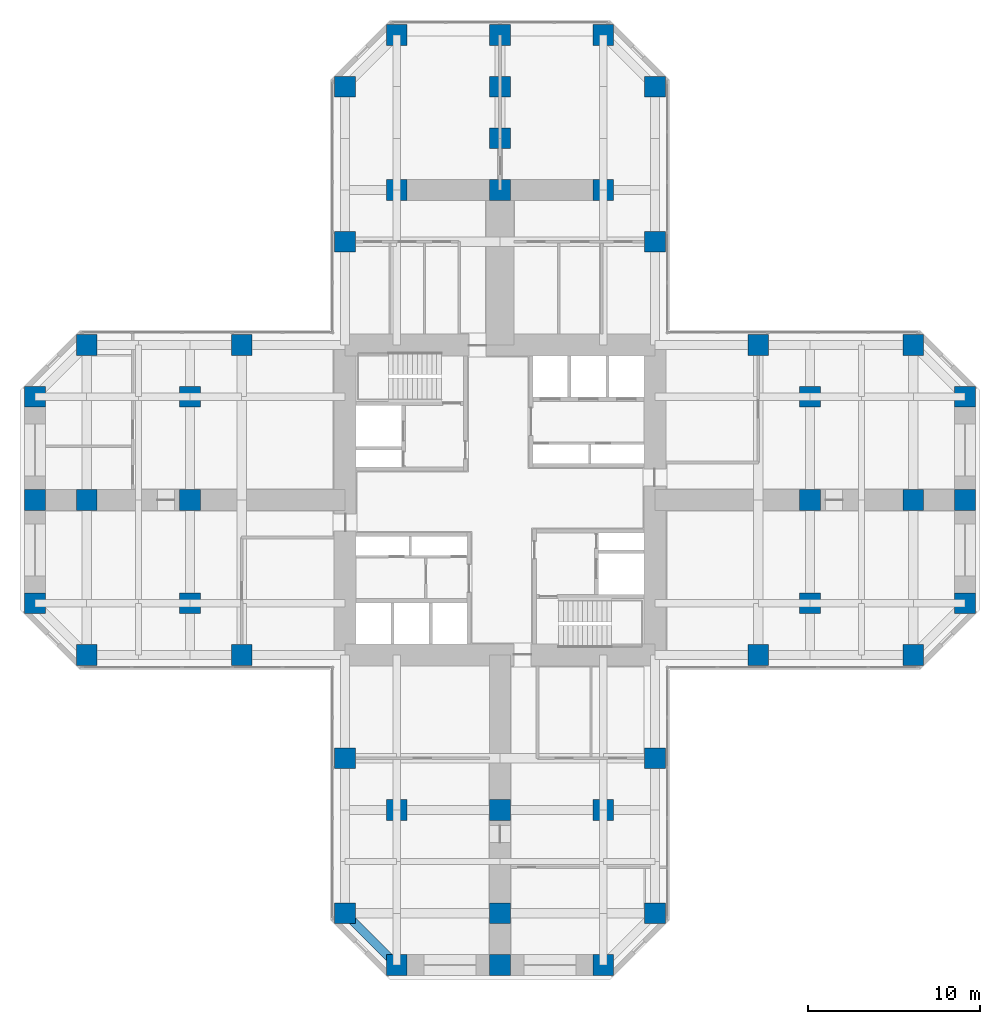
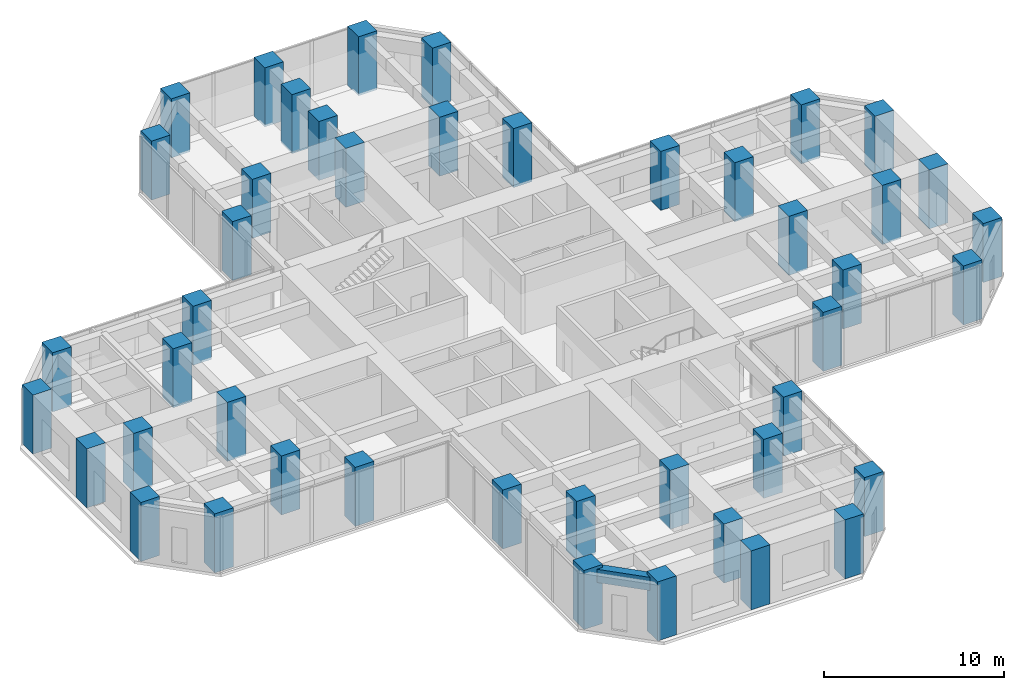
# One storey, part 1 of 12: 45 columns, 1 beam.
"""IFC4 building model written with IfcOpenShell, lengths in metres."""

import ifcopenshell
import ifcopenshell.guid

model = None  # the IFC model being written
_history = None  # IfcOwnerHistory: only IFC2X3 demands one
_inside = {}  # id of a spatial element -> (the spatial element, [elements in it])
_under = {}  # id of a project, library or spatial element -> (it, [spatial elements below it])
_declared = {}  # id of a project -> (the project, [libraries it declares])
_typed = {}  # id of a type object -> (the type object, [elements of that type])
_made_of = {}  # id of a material, layer set ... -> (it, [elements and type objects made of it])


def new_model(schema):
    """Start an empty IFC model of exactly this schema.

    Asked for "IFC4X3", IfcOpenShell would pick the latest addendum, in which some entities
    have other attributes; the version numbers below select the first issue.
    IFC2X3 requires an IfcOwnerHistory on every rooted entity: one is made here for all.
    """
    global model, _history
    if schema == "IFC4X3":
        model = ifcopenshell.file(schema_version=(4, 3, 0, 0))
    else:
        model = ifcopenshell.file(schema=schema)
    _inside.clear()
    _under.clear()
    _declared.clear()
    _typed.clear()
    _made_of.clear()
    _history = None
    if model.schema == "IFC2X3":
        org = make("IfcOrganization", Name="unknown")
        user = make(
            "IfcPersonAndOrganization",
            ThePerson=make("IfcPerson", FamilyName="unknown"),
            TheOrganization=org,
        )
        app = make(
            "IfcApplication",
            ApplicationDeveloper=org,
            Version="unknown",
            ApplicationFullName="unknown",
            ApplicationIdentifier="unknown",
        )
        _history = make(
            "IfcOwnerHistory",
            OwningUser=user,
            OwningApplication=app,
            ChangeAction="ADDED",
            CreationDate=0,
        )
    return model


def make(cls, **values):
    """One entity of the class cls with the attributes given. An attribute that is None is left unset."""
    return model.create_entity(
        cls, **{name: value for name, value in values.items() if value is not None}
    )


def rooted(cls, **values):
    """An entity with a GlobalId (a new one), such as an element, a storey or a relation."""
    return make(cls, GlobalId=ifcopenshell.guid.new(), OwnerHistory=_history, **values)


def si_unit(unit_type, name, prefix=None):
    """IfcSIUnit, for example si_unit("LENGTHUNIT", "METRE", prefix="MILLI")."""
    return make("IfcSIUnit", UnitType=unit_type, Prefix=prefix, Name=name)


def assignment(units):
    """IfcUnitAssignment: the units of a project."""
    return None if units is None else make("IfcUnitAssignment", Units=units)


def point(xyz):
    """IfcCartesianPoint."""
    return None if xyz is None else make("IfcCartesianPoint", Coordinates=xyz)


def direction(xyz):
    """IfcDirection."""
    return None if xyz is None else make("IfcDirection", DirectionRatios=xyz)


def frame(location, z_axis=None, x_axis=None):
    """IfcAxis2Placement3D, a coordinate frame: its origin and axes. An axis left out is left unset."""
    return make(
        "IfcAxis2Placement3D",
        Location=point(location),
        Axis=direction(z_axis),
        RefDirection=direction(x_axis),
    )


def frame_2d(location, x_axis=None):
    """IfcAxis2Placement2D, a coordinate frame in the plane: its origin and x axis."""
    return make(
        "IfcAxis2Placement2D", Location=point(location), RefDirection=direction(x_axis)
    )


def origin():
    """The frame at (0, 0, 0) with its axes left unset."""
    return frame((0.0, 0.0, 0.0))


def origin_2d():
    """The frame at (0, 0) in the plane with its x axis left unset."""
    return frame_2d((0.0, 0.0))


def place(relative_to, where):
    """IfcLocalPlacement: puts the frame where relative to a parent placement (None: the world)."""
    return make(
        "IfcLocalPlacement", PlacementRelTo=relative_to, RelativePlacement=where
    )


def context(
    kind, dimensions, precision=None, world=None, true_north=None, identifier=None
):
    """IfcGeometricRepresentationContext, for example the 3D "Model" context."""
    return make(
        "IfcGeometricRepresentationContext",
        ContextIdentifier=identifier,
        ContextType=kind,
        CoordinateSpaceDimension=dimensions,
        Precision=precision,
        WorldCoordinateSystem=world,
        TrueNorth=true_north,
    )


def subcontext(parent, identifier, kind, view, scale=None):
    """IfcGeometricRepresentationSubContext, for example "Body" below "Model"."""
    return make(
        "IfcGeometricRepresentationSubContext",
        ContextIdentifier=identifier,
        ContextType=kind,
        ParentContext=parent,
        TargetScale=scale,
        TargetView=view,
    )


def project(units=None, contexts=None):
    """IfcProject with its units and contexts."""
    return rooted(
        "IfcProject",
        Name="project",
        RepresentationContexts=contexts,
        UnitsInContext=assignment(units),
    )


def spatial(cls, under=None, at=None, **own):
    """A site, building, storey or space (cls), placed at a placement, below another one or the project."""
    s = rooted(cls, ObjectPlacement=at, **own)
    if under is not None:
        _under.setdefault(under.id(), (under, []))[1].append(s)
    return s


def profile(cls, at=None, kind="AREA", **sizes):
    """A parametric profile (cls). Its sizes go by their IFC names, for example OverallWidth=200.0."""
    return make(cls, ProfileType=kind, Position=at, **sizes)


def rectangle(**sizes):
    """IfcRectangleProfileDef."""
    return profile("IfcRectangleProfileDef", **sizes)


def extrude(swept, where, along, depth):
    """IfcExtrudedAreaSolid: the profile swept, set in the frame where, extruded along a direction by depth."""
    return make(
        "IfcExtrudedAreaSolid",
        SweptArea=swept,
        Position=where,
        ExtrudedDirection=direction(along),
        Depth=depth,
    )


def shape(context_of_items, identifier, shape_type, items):
    """IfcShapeRepresentation: the items that make up one representation, for example the "Body"."""
    return make(
        "IfcShapeRepresentation",
        ContextOfItems=context_of_items,
        RepresentationIdentifier=identifier,
        RepresentationType=shape_type,
        Items=items,
    )


def material(Name=None, Category=None):
    """IfcMaterial."""
    return make("IfcMaterial", Name=Name, Category=Category)


def material_profile(
    of_material, cross_section, Name=None, Category=None, Priority=None
):
    """IfcMaterialProfile: a cross section and its material."""
    return make(
        "IfcMaterialProfile",
        Name=Name,
        Material=of_material,
        Profile=cross_section,
        Priority=Priority,
        Category=Category,
    )


def profile_set(profiles, Name=None, composite=None):
    """IfcMaterialProfileSet."""
    return make(
        "IfcMaterialProfileSet",
        Name=Name,
        MaterialProfiles=profiles,
        CompositeProfile=composite,
    )


def made_of(thing, what):
    """Note that an element or type object is made of a material, layer set ...; save() writes the relation."""
    if what is not None:
        _made_of.setdefault(what.id(), (what, []))[1].append(thing)
    return thing


def type_object(cls, material=None, **own):
    """A type object (cls), such as IfcWallType, which elements share."""
    return made_of(rooted(cls, **own), material)


def element(
    cls,
    number,
    at=None,
    inside=None,
    cuts=None,
    type_object=None,
    material=None,
    context=None,
    identifier="Body",
    shape_type=None,
    held_by="IfcProductDefinitionShape",
    body=None,
    shapes=None,
    **own,
):
    """One element of the class cls, such as IfcWall. Its Tag is "e" and its number.

    at: its placement. inside: the storey or other place that contains it. cuts: it is an
    opening in that element (IfcRelVoidsElement). A single representation is given by context,
    identifier, shape_type and body (its items); several are given by shapes. held_by: the class
    of the entity that holds the representations. save() writes the other relations.
    """
    e = rooted(cls, Tag="e%d" % number, ObjectPlacement=at, **own)
    if body is not None:
        shapes = [shape(context, identifier, shape_type, body)]
    if shapes is not None:
        e.Representation = make(held_by, Representations=shapes)
    if inside is not None:
        _inside.setdefault(inside.id(), (inside, []))[1].append(e)
    if cuts is not None:
        rooted(
            "IfcRelVoidsElement", RelatingBuildingElement=cuts, RelatedOpeningElement=e
        )
    if type_object is not None:
        _typed.setdefault(type_object.id(), (type_object, []))[1].append(e)
    return made_of(e, material)


def aggregate(whole, parts):
    """IfcRelAggregates: a whole, such as a stair, and the parts it consists of."""
    return rooted("IfcRelAggregates", RelatingObject=whole, RelatedObjects=parts)


def save(model, path):
    """Write the relations noted so far, then the file.

    IfcRelAggregates (storeys below a building ...), IfcRelContainedInSpatialStructure (elements
    in a storey), IfcRelDefinesByType, IfcRelAssociatesMaterial and IfcRelDeclares: one each for
    every whole, place, type object, material and project.
    """
    for whole, parts in _under.values():
        aggregate(whole, parts)
    for where, things in _inside.values():
        rooted(
            "IfcRelContainedInSpatialStructure",
            RelatedElements=things,
            RelatingStructure=where,
        )
    for kind, things in _typed.values():
        rooted("IfcRelDefinesByType", RelatedObjects=things, RelatingType=kind)
    for what, things in _made_of.values():
        rooted("IfcRelAssociatesMaterial", RelatedObjects=things, RelatingMaterial=what)
    for by, libraries in _declared.values():
        rooted("IfcRelDeclares", RelatingContext=by, RelatedDefinitions=libraries)
    model.write(path)


model = new_model("IFC4")

# Units and contexts
model_context = context("Model", 3, precision=1e-05, world=origin(), true_north=direction((0.0, 1.0)))
body_context = subcontext(model_context, "Body", "Model", "MODEL_VIEW")
ifc_project = project(units=[si_unit("LENGTHUNIT", "METRE"), si_unit("AREAUNIT", "SQUARE_METRE"), si_unit("VOLUMEUNIT", "CUBIC_METRE"), si_unit("PLANEANGLEUNIT", "RADIAN"), si_unit("MASSUNIT", "GRAM", prefix="KILO")], contexts=[model_context])

# Site, building, storey
site_placement = place(None, origin())
site = spatial("IfcSite", under=ifc_project, at=site_placement, CompositionType="ELEMENT")
building_placement = place(site_placement, origin())
building = spatial("IfcBuilding", under=site, at=building_placement, Name="Torre Cruceta", CompositionType="ELEMENT")
storey_placement = place(building_placement, frame((0.0, 0.0, 75.5)))
storey = spatial("IfcBuildingStorey", under=building, at=storey_placement, Name="L18", CompositionType="ELEMENT", Elevation=75.5)

# Columns
ifc_material_1 = material(Name="Concrete G60 (fck 60 MPa)", Category="concrete")
ifc_material_profile_1 = material_profile(ifc_material_1, rectangle(XDim=1.199951171875, YDim=1.199951171875, at=origin_2d()), Name="RC 1200X1200")
ifc_profile_set_1 = profile_set([ifc_material_profile_1], Name="Concrete G60 (fck 60 MPa)")
column_type = type_object("IfcColumnType", Name="COLUMN RC 1200X1200", PredefinedType="COLUMN", material=ifc_profile_set_1)
for number, where, z_axis, x_axis, name in (
    (1, (9.0, 15.0, 0.0), (0.0, 0.0, 1.0), (1.0, 0.0, 0.0), "C3 L18 N side"),
    (2, (9.0, 24.0, 0.0), (0.0, 0.0, 1.0), (1.0, 0.0, 0.0), "C3 L18 N chamfer"),
    (3, (-9.0, 15.0, 0.0), (0.0, 0.0, 1.0), (1.0, 0.0, 0.0), "C3 L18 N side"),
    (4, (-9.0, 24.0, 0.0), (0.0, 0.0, 1.0), (1.0, 0.0, 0.0), "C3 L18 N chamfer"),
    (5, (6.0, 27.0, 0.0), (0.0, 0.0, 1.0), (1.0, 0.0, 0.0), "C3 L18 N tip"),
    (6, (0.0, 27.0, 0.0), (0.0, 0.0, 1.0), (1.0, 0.0, 0.0), "C3 L18 N tip"),
    (7, (-6.0, 27.0, 0.0), (0.0, 0.0, 1.0), (1.0, 0.0, 0.0), "C3 L18 N tip"),
    (8, (15.0, -9.0, 0.0), (0.0, 0.0, 1.0), (1.0, 0.0, 0.0), "C3 L18 E side"),
    (9, (24.0, -9.0, 0.0), (0.0, 0.0, 1.0), (1.0, 0.0, 0.0), "C3 L18 E chamfer"),
    (10, (15.0, 9.0, 0.0), (0.0, 0.0, 1.0), (1.0, 0.0, 0.0), "C3 L18 E side"),
    (11, (24.0, 9.0, 0.0), (0.0, 0.0, 1.0), (1.0, 0.0, 0.0), "C3 L18 E chamfer"),
    (12, (27.0, -6.0, 0.0), (0.0, 0.0, 1.0), (1.0, 0.0, 0.0), "C3 L18 E tip"),
    (13, (27.0, 0.0, 0.0), (0.0, 0.0, 1.0), (1.0, 0.0, 0.0), "C3 L18 E tip"),
    (14, (27.0, 6.0, 0.0), (0.0, 0.0, 1.0), (1.0, 0.0, 0.0), "C3 L18 E tip"),
    (15, (-9.0, -15.0, 0.0), (0.0, 0.0, 1.0), (1.0, 0.0, 0.0), "C3 L18 S side"),
    (16, (-9.0, -24.0, 0.0), (0.0, 0.0, 1.0), (1.0, 0.0, 0.0), "C3 L18 S chamfer"),
    (17, (9.0, -15.0, 0.0), (0.0, 0.0, 1.0), (1.0, 0.0, 0.0), "C3 L18 S side"),
    (18, (9.0, -24.0, 0.0), (0.0, 0.0, 1.0), (1.0, 0.0, 0.0), "C3 L18 S chamfer"),
    (19, (-6.0, -27.0, 0.0), (0.0, 0.0, 1.0), (1.0, 0.0, 0.0), "C3 L18 S tip"),
    (20, (0.0, -27.0, 0.0), (0.0, 0.0, 1.0), (1.0, 0.0, 0.0), "C3 L18 S tip"),
    (21, (6.0, -27.0, 0.0), (0.0, 0.0, 1.0), (1.0, 0.0, 0.0), "C3 L18 S tip"),
    (22, (-15.0, 9.0, 0.0), (0.0, 0.0, 1.0), (1.0, 0.0, 0.0), "C3 L18 W side"),
    (23, (-24.0, 9.0, 0.0), (0.0, 0.0, 1.0), (1.0, 0.0, 0.0), "C3 L18 W chamfer"),
    (24, (-15.0, -9.0, 0.0), (0.0, 0.0, 1.0), (1.0, 0.0, 0.0), "C3 L18 W side"),
    (25, (-24.0, -9.0, 0.0), (0.0, 0.0, 1.0), (1.0, 0.0, 0.0), "C3 L18 W chamfer"),
    (26, (-27.0, 6.0, 0.0), (0.0, 0.0, 1.0), (1.0, 0.0, 0.0), "C3 L18 W tip"),
    (27, (-27.0, 0.0, 0.0), (0.0, 0.0, 1.0), (1.0, 0.0, 0.0), "C3 L18 W tip"),
    (28, (-27.0, -6.0, 0.0), (0.0, 0.0, 1.0), (1.0, 0.0, 0.0), "C3 L18 W tip"),
    (29, (6.0, 18.0, 0.0), (0.0, 0.0, 1.0), (1.0, 0.0, 0.0), "C3 L18 N interior"),
    (30, (0.0, 18.0, 0.0), (0.0, 0.0, 1.0), (1.0, 0.0, 0.0), "C3 L18 N interior"),
    (31, (-6.0, 18.0, 0.0), (0.0, 0.0, 1.0), (1.0, 0.0, 0.0), "C3 L18 N interior"),
    (32, (0.0, 21.0, 0.0), (0.0, 0.0, 1.0), (1.0, 0.0, 0.0), "C3 L18 N interior"),
    (33, (0.0, 24.0, 0.0), (0.0, 0.0, 1.0), (1.0, 0.0, 0.0), "C3 L18 N interior"),
    (34, (18.0, -6.0, 0.0), (0.0, 0.0, 1.0), (1.0, 0.0, 0.0), "C3 L18 E interior"),
    (35, (18.0, 0.0, 0.0), (0.0, 0.0, 1.0), (1.0, 0.0, 0.0), "C3 L18 E interior"),
    (36, (18.0, 6.0, 0.0), (0.0, 0.0, 1.0), (1.0, 0.0, 0.0), "C3 L18 E interior"),
    (37, (24.0, 0.0, 0.0), (0.0, 0.0, 1.0), (1.0, 0.0, 0.0), "C3 L18 E interior"),
    (38, (-6.0, -18.0, 0.0), (0.0, 0.0, 1.0), (1.0, 0.0, 0.0), "C3 L18 S interior"),
    (39, (0.0, -18.0, 0.0), (0.0, 0.0, 1.0), (1.0, 0.0, 0.0), "C3 L18 S interior"),
    (40, (6.0, -18.0, 0.0), (0.0, 0.0, 1.0), (1.0, 0.0, 0.0), "C3 L18 S interior"),
    (41, (0.0, -24.0, 0.0), (0.0, 0.0, 1.0), (1.0, 0.0, 0.0), "C3 L18 S interior"),
    (42, (-18.0, 6.0, 0.0), (0.0, 0.0, 1.0), (1.0, 0.0, 0.0), "C3 L18 W interior"),
    (43, (-18.0, 0.0, 0.0), (0.0, 0.0, 1.0), (1.0, 0.0, 0.0), "C3 L18 W interior"),
    (44, (-18.0, -6.0, 0.0), (0.0, 0.0, 1.0), (1.0, 0.0, 0.0), "C3 L18 W interior"),
    (45, (-24.0, 0.0, 0.0), (0.0, 0.0, 1.0), (1.0, 0.0, 0.0), "C3 L18 W interior"),
):
    element("IfcColumn", number, at=place(storey_placement, frame(where, z_axis=z_axis, x_axis=x_axis)), inside=storey, type_object=column_type, Name=name, PredefinedType="COLUMN", context=body_context, shape_type="SweptSolid", body=[
        extrude(rectangle(XDim=1.199951171875, YDim=1.199951171875, at=origin_2d()), origin(), (0.0, 0.0, 1.0), 4.0),
    ])

# Beam
ifc_material_2 = material(Name="Concrete G60 (fck 60 MPa)", Category="concrete")
ifc_material_profile_2 = material_profile(ifc_material_2, rectangle(XDim=0.5, YDim=0.89990234375, at=origin_2d()), Name="RC 500X900")
ifc_profile_set_2 = profile_set([ifc_material_profile_2], Name="Concrete G60 (fck 60 MPa)")
beam_type = type_object("IfcBeamType", Name="SPANDREL BEAM RC 500X900", PredefinedType="SPANDREL", material=ifc_profile_set_2)
beam_placement = place(storey_placement, frame((-9.0, -24.0, 3.35009765625), z_axis=(0.707106781187, -0.707106781187, 0.0), x_axis=(0.707106781187, 0.707106781187, 0.0)))
element("IfcBeam", 46, at=beam_placement, inside=storey, type_object=beam_type, Name="SB4 L18 S side- 5", PredefinedType="SPANDREL", context=body_context, shape_type="SweptSolid", body=[
    extrude(rectangle(XDim=0.5, YDim=0.89990234375, at=origin_2d()), origin(), (0.0, 0.0, 1.0), 4.24267578125),
])

save(model, "model.ifc")
